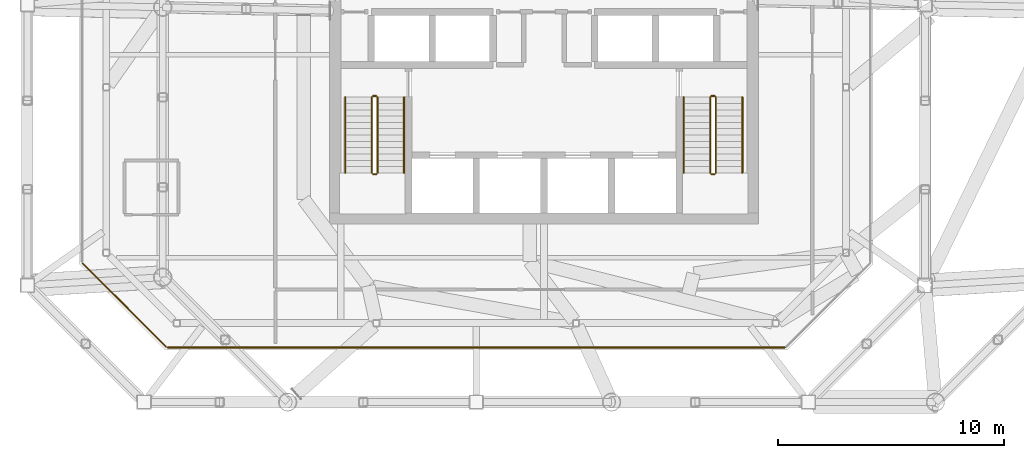
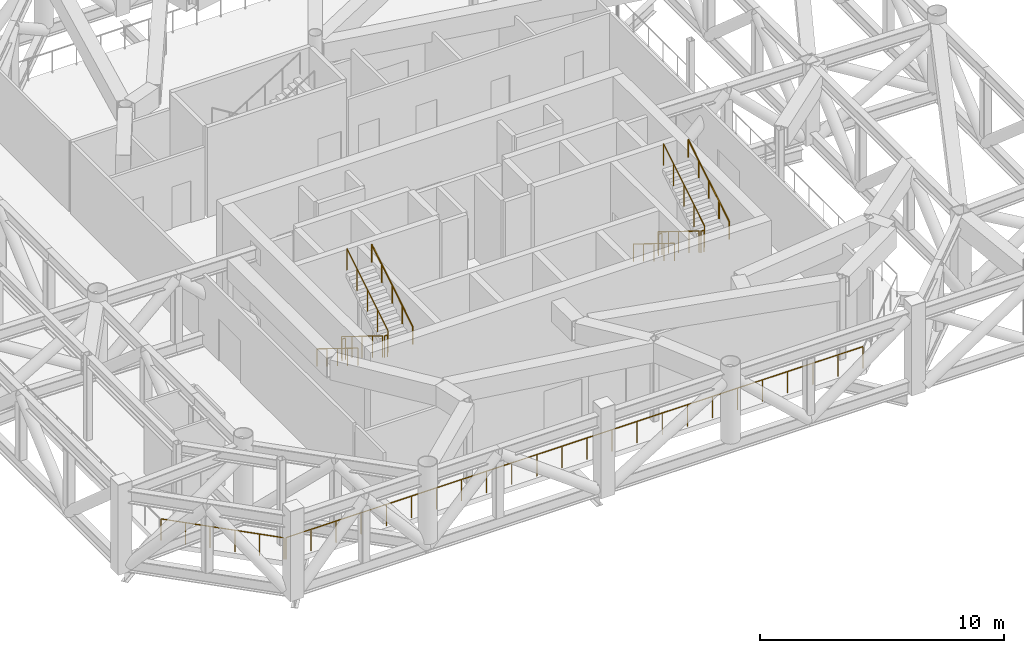
# One storey, part 12 of 14: 14 railings.
"""IFC4 building model written with IfcOpenShell, lengths in metres."""

from ifc_helpers import new_model, si_unit, direction, frame, origin, origin_2d, place, context, subcontext, project, spatial, circle, extrude, material, type_object, element, save


model = new_model("IFC4")

# Units and contexts
model_context = context("Model", 3, precision=1e-05, world=origin(), true_north=direction((0.0, 1.0)))
body_context = subcontext(model_context, "Body", "Model", "MODEL_VIEW")
ifc_project = project(units=[si_unit("LENGTHUNIT", "METRE"), si_unit("AREAUNIT", "SQUARE_METRE"), si_unit("VOLUMEUNIT", "CUBIC_METRE"), si_unit("PLANEANGLEUNIT", "RADIAN"), si_unit("MASSUNIT", "GRAM", prefix="KILO")], contexts=[model_context])

# Site, building, storey
site_placement = place(None, origin())
site = spatial("IfcSite", under=ifc_project, at=site_placement, CompositionType="ELEMENT")
building_placement = place(site_placement, origin())
building = spatial("IfcBuilding", under=site, at=building_placement, Name="Tskaro Facet Tower", CompositionType="ELEMENT")
storey_placement = place(building_placement, frame((0.0, 0.0, 255.0)))
storey = spatial("IfcBuildingStorey", under=building, at=storey_placement, Name="L67", CompositionType="ELEMENT", Elevation=255.0)

# Railings
ifc_material_1 = material(Name="Bronze anodised aluminium 6063-T6", Category="aluminium")
railing_type_1 = type_object("IfcRailingType", Name="Bronze guard rail (GD1)", PredefinedType="GUARDRAIL", material=ifc_material_1)
railing_1_placement = place(storey_placement, frame((-16.669921875, -17.470947265625, 0.0)))
element("IfcRailing", 1, at=railing_1_placement, inside=storey, type_object=railing_type_1, Name="Guard L67", PredefinedType="GUARDRAIL", context=body_context, shape_type="SweptSolid", body=[
    extrude(circle(Radius=0.02490234375, at=origin_2d()), frame((0.0, 0.0, 1.0751953125), z_axis=(1.0, 0.0, 0.0), x_axis=(0.0, 1.0, 0.0)), (0.0, 0.0, 1.0), 27.33984375),
    extrude(circle(Radius=0.02001953125, at=origin_2d()), origin(), (0.0, 0.0, 1.0), 1.050048828125),
    extrude(circle(Radius=0.02001953125, at=origin_2d()), frame((1.188720703125, 0.0, 0.0)), (0.0, 0.0, 1.0), 1.050048828125),
    extrude(circle(Radius=0.02001953125, at=origin_2d()), frame((2.37744140625, 0.0, 0.0)), (0.0, 0.0, 1.0), 1.050048828125),
    extrude(circle(Radius=0.02001953125, at=origin_2d()), frame((3.566162109375, 0.0, 0.0)), (0.0, 0.0, 1.0), 1.050048828125),
    extrude(circle(Radius=0.02001953125, at=origin_2d()), frame((4.754638671875, 0.0, 0.0)), (0.0, 0.0, 1.0), 1.050048828125),
    extrude(circle(Radius=0.02001953125, at=origin_2d()), frame((5.943359375, 0.0, 0.0)), (0.0, 0.0, 1.0), 1.050048828125),
    extrude(circle(Radius=0.02001953125, at=origin_2d()), frame((7.132080078125, 0.0, 0.0)), (0.0, 0.0, 1.0), 1.050048828125),
    extrude(circle(Radius=0.02001953125, at=origin_2d()), frame((8.32080078125, 0.0, 0.0)), (0.0, 0.0, 1.0), 1.050048828125),
    extrude(circle(Radius=0.02001953125, at=origin_2d()), frame((9.509521484375, 0.0, 0.0)), (0.0, 0.0, 1.0), 1.050048828125),
    extrude(circle(Radius=0.02001953125, at=origin_2d()), frame((10.6982421875, 0.0, 0.0)), (0.0, 0.0, 1.0), 1.050048828125),
    extrude(circle(Radius=0.02001953125, at=origin_2d()), frame((11.886962890625, 0.0, 0.0)), (0.0, 0.0, 1.0), 1.050048828125),
    extrude(circle(Radius=0.02001953125, at=origin_2d()), frame((13.07568359375, 0.0, 0.0)), (0.0, 0.0, 1.0), 1.050048828125),
    extrude(circle(Radius=0.02001953125, at=origin_2d()), frame((14.26416015625, 0.0, 0.0)), (0.0, 0.0, 1.0), 1.050048828125),
    extrude(circle(Radius=0.02001953125, at=origin_2d()), frame((15.452880859375, 0.0, 0.0)), (0.0, 0.0, 1.0), 1.050048828125),
    extrude(circle(Radius=0.02001953125, at=origin_2d()), frame((16.6416015625, 0.0, 0.0)), (0.0, 0.0, 1.0), 1.050048828125),
    extrude(circle(Radius=0.02001953125, at=origin_2d()), frame((17.830322265625, 0.0, 0.0)), (0.0, 0.0, 1.0), 1.050048828125),
    extrude(circle(Radius=0.02001953125, at=origin_2d()), frame((19.01904296875, 0.0, 0.0)), (0.0, 0.0, 1.0), 1.050048828125),
    extrude(circle(Radius=0.02001953125, at=origin_2d()), frame((20.207763671875, 0.0, 0.0)), (0.0, 0.0, 1.0), 1.050048828125),
    extrude(circle(Radius=0.02001953125, at=origin_2d()), frame((21.396484375, 0.0, 0.0)), (0.0, 0.0, 1.0), 1.050048828125),
    extrude(circle(Radius=0.02001953125, at=origin_2d()), frame((22.585205078125, 0.0, 0.0)), (0.0, 0.0, 1.0), 1.050048828125),
    extrude(circle(Radius=0.02001953125, at=origin_2d()), frame((23.773681640625, 0.0, 0.0)), (0.0, 0.0, 1.0), 1.050048828125),
    extrude(circle(Radius=0.02001953125, at=origin_2d()), frame((24.96240234375, 0.0, 0.0)), (0.0, 0.0, 1.0), 1.050048828125),
    extrude(circle(Radius=0.02001953125, at=origin_2d()), frame((26.151123046875, 0.0, 0.0)), (0.0, 0.0, 1.0), 1.050048828125),
    extrude(circle(Radius=0.02001953125, at=origin_2d()), frame((27.33984375, 0.0, 0.0)), (0.0, 0.0, 1.0), 1.050048828125),
])
railing_2_placement = place(storey_placement, frame((-20.439208984375, -13.746826171875, 0.0)))
element("IfcRailing", 2, at=railing_2_placement, inside=storey, type_object=railing_type_1, Name="Guard L67", PredefinedType="GUARDRAIL", context=body_context, shape_type="SweptSolid", body=[
    extrude(circle(Radius=0.02490234375, at=origin_2d()), frame((0.0, 0.0, 1.0751953125), z_axis=(0.707106781187, -0.707106781187, 0.0), x_axis=(0.707106781187, 0.707106781187, 0.0)), (0.0, 0.0, 1.0), 5.221923828125),
    extrude(circle(Radius=0.02001953125, at=origin_2d()), origin(), (0.0, 0.0, 1.0), 1.050048828125),
    extrude(circle(Radius=0.02001953125, at=origin_2d()), frame((0.738525390625, -0.738525390625, 0.0)), (0.0, 0.0, 1.0), 1.050048828125),
    extrude(circle(Radius=0.02001953125, at=origin_2d()), frame((1.47705078125, -1.47705078125, 0.0)), (0.0, 0.0, 1.0), 1.050048828125),
    extrude(circle(Radius=0.02001953125, at=origin_2d()), frame((2.21533203125, -2.21533203125, 0.0)), (0.0, 0.0, 1.0), 1.050048828125),
    extrude(circle(Radius=0.02001953125, at=origin_2d()), frame((2.953857421875, -2.953857421875, 0.0)), (0.0, 0.0, 1.0), 1.050048828125),
    extrude(circle(Radius=0.02001953125, at=origin_2d()), frame((3.6923828125, -3.6923828125, 0.0)), (0.0, 0.0, 1.0), 1.050048828125),
])
ifc_material_2 = material(Name="Stainless steel", Category="steel")
railing_type_2 = type_object("IfcRailingType", Name="RL-GUARD-1100", PredefinedType="GUARDRAIL", material=ifc_material_2)
railing_3_placement = place(storey_placement, frame((-7.625, -6.375, 0.173095703125)))
element("IfcRailing", 3, at=railing_3_placement, inside=storey, type_object=railing_type_2, Name="L67 ST-1 stair guard 1", PredefinedType="GUARDRAIL", context=body_context, shape_type="SweptSolid", body=[
    extrude(circle(Radius=0.02392578125, at=origin_2d()), frame((0.0, 0.0, 1.076171875), z_axis=(0.0, -0.850623216509, 0.525775754039), x_axis=(1.0, 0.0, 0.0)), (0.0, 0.0, 1.0), 3.9501953125),
    extrude(circle(Radius=0.02099609375, at=origin_2d()), origin(), (0.0, 0.0, 1.0), 1.052001953125),
    extrude(circle(Radius=0.02099609375, at=origin_2d()), frame((0.0, -0.840087890625, 0.519287109375)), (0.0, 0.0, 1.0), 1.052001953125),
    extrude(circle(Radius=0.02099609375, at=origin_2d()), frame((0.0, -1.68017578125, 1.03857421875)), (0.0, 0.0, 1.0), 1.052001953125),
    extrude(circle(Radius=0.02099609375, at=origin_2d()), frame((0.0, -2.52001953125, 1.5576171875)), (0.0, 0.0, 1.0), 1.052001953125),
    extrude(circle(Radius=0.02099609375, at=origin_2d()), frame((0.0, -3.360107421875, 2.076904296875)), (0.0, 0.0, 1.0), 1.052001953125),
])
railing_4_placement = place(storey_placement, frame((-7.574951171875, -9.784912109375, 2.25)))
element("IfcRailing", 4, at=railing_4_placement, inside=storey, type_object=railing_type_2, Name="L67 ST-1 stair guard 2", PredefinedType="GUARDRAIL", context=body_context, shape_type="SweptSolid", body=[
    extrude(circle(Radius=0.02392578125, at=origin_2d()), frame((0.0, 0.0, 1.076171875), z_axis=(1.0, 0.0, 0.0), x_axis=(0.0, 1.0, 0.0)), (0.0, 0.0, 1.0), 0.14990234375),
    extrude(circle(Radius=0.02099609375, at=origin_2d()), origin(), (0.0, 0.0, 1.0), 1.052001953125),
    extrude(circle(Radius=0.02099609375, at=origin_2d()), frame((0.14990234375, 0.0, 0.0)), (0.0, 0.0, 1.0), 1.052001953125),
])
railing_5_placement = place(storey_placement, frame((-7.375, -9.735107421875, 2.423095703125)))
element("IfcRailing", 5, at=railing_5_placement, inside=storey, type_object=railing_type_2, Name="L67 ST-1 stair guard 3", PredefinedType="GUARDRAIL", context=body_context, shape_type="SweptSolid", body=[
    extrude(circle(Radius=0.02392578125, at=origin_2d()), frame((0.0, 0.0, 1.076171875), z_axis=(0.0, 0.850623216509, 0.525775754039), x_axis=(-1.0, 0.0, 0.0)), (0.0, 0.0, 1.0), 3.9501953125),
    extrude(circle(Radius=0.02099609375, at=origin_2d()), origin(), (0.0, 0.0, 1.0), 1.052001953125),
    extrude(circle(Radius=0.02099609375, at=origin_2d()), frame((0.0, 0.840087890625, 0.519287109375)), (0.0, 0.0, 1.0), 1.052001953125),
    extrude(circle(Radius=0.02099609375, at=origin_2d()), frame((0.0, 1.68017578125, 1.03857421875)), (0.0, 0.0, 1.0), 1.052001953125),
    extrude(circle(Radius=0.02099609375, at=origin_2d()), frame((0.0, 2.52001953125, 1.5576171875)), (0.0, 0.0, 1.0), 1.052001953125),
    extrude(circle(Radius=0.02099609375, at=origin_2d()), frame((0.0, 3.360107421875, 2.076904296875)), (0.0, 0.0, 1.0), 1.052001953125),
])
railing_6_placement = place(storey_placement, frame((-7.574951171875, -6.324951171875, 0.0)))
element("IfcRailing", 6, at=railing_6_placement, inside=storey, type_object=railing_type_2, Name="L67 ST-1 stair guard 4", PredefinedType="GUARDRAIL", context=body_context, shape_type="SweptSolid", body=[
    extrude(circle(Radius=0.02392578125, at=origin_2d()), frame((0.0, 0.0, 1.076171875), z_axis=(1.0, 0.0, 0.0), x_axis=(0.0, 1.0, 0.0)), (0.0, 0.0, 1.0), 0.14990234375),
    extrude(circle(Radius=0.02099609375, at=origin_2d()), origin(), (0.0, 0.0, 1.0), 1.052001953125),
    extrude(circle(Radius=0.02099609375, at=origin_2d()), frame((0.14990234375, 0.0, 0.0)), (0.0, 0.0, 1.0), 1.052001953125),
])
railing_7_placement = place(storey_placement, frame((7.375, -6.375, 0.173095703125)))
element("IfcRailing", 7, at=railing_7_placement, inside=storey, type_object=railing_type_2, Name="L67 ST-2 stair guard 1", PredefinedType="GUARDRAIL", context=body_context, shape_type="SweptSolid", body=[
    extrude(circle(Radius=0.02392578125, at=origin_2d()), frame((0.0, 0.0, 1.076171875), z_axis=(0.0, -0.850623216509, 0.525775754039), x_axis=(1.0, 0.0, 0.0)), (0.0, 0.0, 1.0), 3.9501953125),
    extrude(circle(Radius=0.02099609375, at=origin_2d()), origin(), (0.0, 0.0, 1.0), 1.052001953125),
    extrude(circle(Radius=0.02099609375, at=origin_2d()), frame((0.0, -0.840087890625, 0.519287109375)), (0.0, 0.0, 1.0), 1.052001953125),
    extrude(circle(Radius=0.02099609375, at=origin_2d()), frame((0.0, -1.68017578125, 1.03857421875)), (0.0, 0.0, 1.0), 1.052001953125),
    extrude(circle(Radius=0.02099609375, at=origin_2d()), frame((0.0, -2.52001953125, 1.5576171875)), (0.0, 0.0, 1.0), 1.052001953125),
    extrude(circle(Radius=0.02099609375, at=origin_2d()), frame((0.0, -3.360107421875, 2.076904296875)), (0.0, 0.0, 1.0), 1.052001953125),
])
railing_8_placement = place(storey_placement, frame((7.425048828125, -9.784912109375, 2.25)))
element("IfcRailing", 8, at=railing_8_placement, inside=storey, type_object=railing_type_2, Name="L67 ST-2 stair guard 2", PredefinedType="GUARDRAIL", context=body_context, shape_type="SweptSolid", body=[
    extrude(circle(Radius=0.02392578125, at=origin_2d()), frame((0.0, 0.0, 1.076171875), z_axis=(1.0, 0.0, 0.0), x_axis=(0.0, 1.0, 0.0)), (0.0, 0.0, 1.0), 0.14990234375),
    extrude(circle(Radius=0.02099609375, at=origin_2d()), origin(), (0.0, 0.0, 1.0), 1.052001953125),
    extrude(circle(Radius=0.02099609375, at=origin_2d()), frame((0.14990234375, 0.0, 0.0)), (0.0, 0.0, 1.0), 1.052001953125),
])
railing_9_placement = place(storey_placement, frame((7.625, -9.735107421875, 2.423095703125)))
element("IfcRailing", 9, at=railing_9_placement, inside=storey, type_object=railing_type_2, Name="L67 ST-2 stair guard 3", PredefinedType="GUARDRAIL", context=body_context, shape_type="SweptSolid", body=[
    extrude(circle(Radius=0.02392578125, at=origin_2d()), frame((0.0, 0.0, 1.076171875), z_axis=(0.0, 0.850623216509, 0.525775754039), x_axis=(-1.0, 0.0, 0.0)), (0.0, 0.0, 1.0), 3.9501953125),
    extrude(circle(Radius=0.02099609375, at=origin_2d()), origin(), (0.0, 0.0, 1.0), 1.052001953125),
    extrude(circle(Radius=0.02099609375, at=origin_2d()), frame((0.0, 0.840087890625, 0.519287109375)), (0.0, 0.0, 1.0), 1.052001953125),
    extrude(circle(Radius=0.02099609375, at=origin_2d()), frame((0.0, 1.68017578125, 1.03857421875)), (0.0, 0.0, 1.0), 1.052001953125),
    extrude(circle(Radius=0.02099609375, at=origin_2d()), frame((0.0, 2.52001953125, 1.5576171875)), (0.0, 0.0, 1.0), 1.052001953125),
    extrude(circle(Radius=0.02099609375, at=origin_2d()), frame((0.0, 3.360107421875, 2.076904296875)), (0.0, 0.0, 1.0), 1.052001953125),
])
railing_10_placement = place(storey_placement, frame((7.425048828125, -6.324951171875, 0.0)))
element("IfcRailing", 10, at=railing_10_placement, inside=storey, type_object=railing_type_2, Name="L67 ST-2 stair guard 4", PredefinedType="GUARDRAIL", context=body_context, shape_type="SweptSolid", body=[
    extrude(circle(Radius=0.02392578125, at=origin_2d()), frame((0.0, 0.0, 1.076171875), z_axis=(1.0, 0.0, 0.0), x_axis=(0.0, 1.0, 0.0)), (0.0, 0.0, 1.0), 0.14990234375),
    extrude(circle(Radius=0.02099609375, at=origin_2d()), origin(), (0.0, 0.0, 1.0), 1.052001953125),
    extrude(circle(Radius=0.02099609375, at=origin_2d()), frame((0.14990234375, 0.0, 0.0)), (0.0, 0.0, 1.0), 1.052001953125),
])
railing_type_3 = type_object("IfcRailingType", Name="RL-HANDRAIL-900", PredefinedType="HANDRAIL", material=ifc_material_2)
railing_11_placement = place(storey_placement, frame((-8.800048828125, -6.375, 0.173095703125)))
element("IfcRailing", 11, at=railing_11_placement, inside=storey, type_object=railing_type_3, Name="L67 ST-1 stair handrail 1", PredefinedType="HANDRAIL", context=body_context, shape_type="SweptSolid", body=[
    extrude(circle(Radius=0.02392578125, at=origin_2d()), frame((0.0, 0.0, 0.8759765625), z_axis=(0.0, -0.850623216509, 0.525775754039), x_axis=(1.0, 0.0, 0.0)), (0.0, 0.0, 1.0), 3.9501953125),
    extrude(circle(Radius=0.02099609375, at=origin_2d()), origin(), (0.0, 0.0, 1.0), 0.851806640625),
    extrude(circle(Radius=0.02099609375, at=origin_2d()), frame((0.0, -0.840087890625, 0.519287109375)), (0.0, 0.0, 1.0), 0.851806640625),
    extrude(circle(Radius=0.02099609375, at=origin_2d()), frame((0.0, -1.68017578125, 1.03857421875)), (0.0, 0.0, 1.0), 0.851806640625),
    extrude(circle(Radius=0.02099609375, at=origin_2d()), frame((0.0, -2.52001953125, 1.5576171875)), (0.0, 0.0, 1.0), 0.851806640625),
    extrude(circle(Radius=0.02099609375, at=origin_2d()), frame((0.0, -3.360107421875, 2.076904296875)), (0.0, 0.0, 1.0), 0.851806640625),
])
railing_12_placement = place(storey_placement, frame((-6.199951171875, -9.735107421875, 2.423095703125)))
element("IfcRailing", 12, at=railing_12_placement, inside=storey, type_object=railing_type_3, Name="L67 ST-1 stair handrail 2", PredefinedType="HANDRAIL", context=body_context, shape_type="SweptSolid", body=[
    extrude(circle(Radius=0.02392578125, at=origin_2d()), frame((0.0, 0.0, 0.8759765625), z_axis=(0.0, 0.850623216509, 0.525775754039), x_axis=(-1.0, 0.0, 0.0)), (0.0, 0.0, 1.0), 3.9501953125),
    extrude(circle(Radius=0.02099609375, at=origin_2d()), origin(), (0.0, 0.0, 1.0), 0.851806640625),
    extrude(circle(Radius=0.02099609375, at=origin_2d()), frame((0.0, 0.840087890625, 0.519287109375)), (0.0, 0.0, 1.0), 0.851806640625),
    extrude(circle(Radius=0.02099609375, at=origin_2d()), frame((0.0, 1.68017578125, 1.03857421875)), (0.0, 0.0, 1.0), 0.851806640625),
    extrude(circle(Radius=0.02099609375, at=origin_2d()), frame((0.0, 2.52001953125, 1.5576171875)), (0.0, 0.0, 1.0), 0.851806640625),
    extrude(circle(Radius=0.02099609375, at=origin_2d()), frame((0.0, 3.360107421875, 2.076904296875)), (0.0, 0.0, 1.0), 0.851806640625),
])
railing_13_placement = place(storey_placement, frame((6.199951171875, -6.375, 0.173095703125)))
element("IfcRailing", 13, at=railing_13_placement, inside=storey, type_object=railing_type_3, Name="L67 ST-2 stair handrail 1", PredefinedType="HANDRAIL", context=body_context, shape_type="SweptSolid", body=[
    extrude(circle(Radius=0.02392578125, at=origin_2d()), frame((0.0, 0.0, 0.8759765625), z_axis=(0.0, -0.850623216509, 0.525775754039), x_axis=(1.0, 0.0, 0.0)), (0.0, 0.0, 1.0), 3.9501953125),
    extrude(circle(Radius=0.02099609375, at=origin_2d()), origin(), (0.0, 0.0, 1.0), 0.851806640625),
    extrude(circle(Radius=0.02099609375, at=origin_2d()), frame((0.0, -0.840087890625, 0.519287109375)), (0.0, 0.0, 1.0), 0.851806640625),
    extrude(circle(Radius=0.02099609375, at=origin_2d()), frame((0.0, -1.68017578125, 1.03857421875)), (0.0, 0.0, 1.0), 0.851806640625),
    extrude(circle(Radius=0.02099609375, at=origin_2d()), frame((0.0, -2.52001953125, 1.5576171875)), (0.0, 0.0, 1.0), 0.851806640625),
    extrude(circle(Radius=0.02099609375, at=origin_2d()), frame((0.0, -3.360107421875, 2.076904296875)), (0.0, 0.0, 1.0), 0.851806640625),
])
railing_14_placement = place(storey_placement, frame((8.800048828125, -9.735107421875, 2.423095703125)))
element("IfcRailing", 14, at=railing_14_placement, inside=storey, type_object=railing_type_3, Name="L67 ST-2 stair handrail 2", PredefinedType="HANDRAIL", context=body_context, shape_type="SweptSolid", body=[
    extrude(circle(Radius=0.02392578125, at=origin_2d()), frame((0.0, 0.0, 0.8759765625), z_axis=(0.0, 0.850623216509, 0.525775754039), x_axis=(-1.0, 0.0, 0.0)), (0.0, 0.0, 1.0), 3.9501953125),
    extrude(circle(Radius=0.02099609375, at=origin_2d()), origin(), (0.0, 0.0, 1.0), 0.851806640625),
    extrude(circle(Radius=0.02099609375, at=origin_2d()), frame((0.0, 0.840087890625, 0.519287109375)), (0.0, 0.0, 1.0), 0.851806640625),
    extrude(circle(Radius=0.02099609375, at=origin_2d()), frame((0.0, 1.68017578125, 1.03857421875)), (0.0, 0.0, 1.0), 0.851806640625),
    extrude(circle(Radius=0.02099609375, at=origin_2d()), frame((0.0, 2.52001953125, 1.5576171875)), (0.0, 0.0, 1.0), 0.851806640625),
    extrude(circle(Radius=0.02099609375, at=origin_2d()), frame((0.0, 3.360107421875, 2.076904296875)), (0.0, 0.0, 1.0), 0.851806640625),
])

save(model, "model.ifc")
